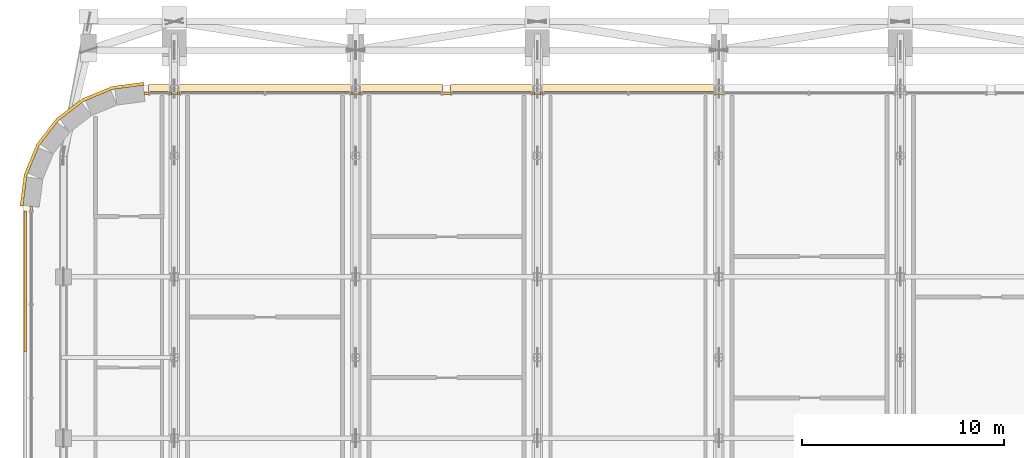
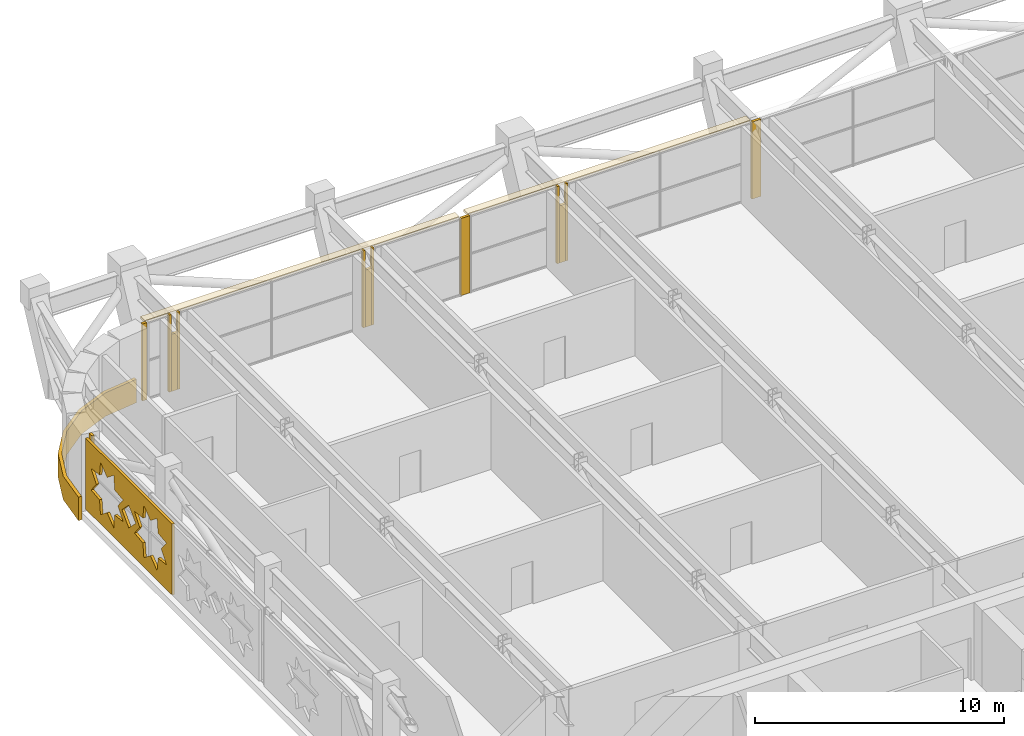
# One storey, part 26 of 28: 17 coverings.
"""IFC4 building model written with IfcOpenShell, lengths in metres."""

from ifc_helpers import new_model, si_unit, direction, frame, origin, origin_2d, place, context, subcontext, project, spatial, polyline, rectangle, outline, extrude, material, layer, layer_set, type_object, element, save


model = new_model("IFC4")

# Units and contexts
model_context = context("Model", 3, precision=1e-05, world=origin(), true_north=direction((0.0, 1.0)))
body_context = subcontext(model_context, "Body", "Model", "MODEL_VIEW")
ifc_project = project(units=[si_unit("LENGTHUNIT", "METRE"), si_unit("AREAUNIT", "SQUARE_METRE"), si_unit("VOLUMEUNIT", "CUBIC_METRE"), si_unit("PLANEANGLEUNIT", "RADIAN"), si_unit("MASSUNIT", "GRAM", prefix="KILO")], contexts=[model_context])

# Site, building, storey
site_placement = place(None, origin())
site = spatial("IfcSite", under=ifc_project, at=site_placement, CompositionType="ELEMENT")
building_placement = place(site_placement, origin())
building = spatial("IfcBuilding", under=site, at=building_placement, Name="Zellij Exchange Tower", CompositionType="ELEMENT")
storey_placement = place(building_placement, frame((0.0, 0.0, 268.5)))
storey = spatial("IfcBuildingStorey", under=building, at=storey_placement, Name="L63", CompositionType="ELEMENT", Elevation=268.5)

# Coverings
ifc_material_1 = material(Name="Limestone cladding", Category="masonry")
ifc_layer_1 = layer(ifc_material_1, 0.14990234375)
ifc_layer_set_1 = layer_set([ifc_layer_1], Name="Limestone cladding")
covering_type_1 = type_object("IfcCoveringType", Name="ENV-CV1 Stone spandrel band 150", PredefinedType="CLADDING", material=ifc_layer_set_1)
covering_1_placement = place(storey_placement, frame((0.0, 0.0, -0.35009765625)))
element("IfcCovering", 1, at=covering_1_placement, inside=storey, type_object=covering_type_1, Name="Stone spandrel band", PredefinedType="CLADDING", context=body_context, shape_type="SweptSolid", body=[
    extrude(outline(polyline([(-28.5, 31.5), (-30.052978515625, 31.295654296875), (-31.5, 30.6962890625), (-32.74267578125, 29.74267578125), (-33.6962890625, 28.5), (-34.295654296875, 27.052978515625), (-34.5, 25.5), (-34.64990234375, 25.509765625), (-34.441650390625, 27.092041015625), (-33.8271484375, 28.57568359375), (-32.849609375, 29.849609375), (-31.57568359375, 30.8271484375), (-30.092041015625, 31.441650390625), (-28.509765625, 31.64990234375), (-28.5, 31.5)])), origin(), (0.0, 0.0, 1.0), 1.150146484375),
])
ifc_layer_2 = layer(ifc_material_1, 0.1201171875)
ifc_layer_set_2 = layer_set([ifc_layer_2], Name="Limestone cladding")
covering_type_2 = type_object("IfcCoveringType", Name="ENV-CV18 Glazing closer 120", PredefinedType="CLADDING", material=ifc_layer_set_2)
for number, where, z_axis, x_axis, name in (
    (2, (-13.5, 31.10009765625, 0.0), (0.0, 0.0, 1.0), (-1.0, 0.0, 0.0), "Glazing closer"),
    (3, (0.0, 31.10009765625, 0.0), (0.0, 0.0, 1.0), (-1.0, 0.0, 0.0), "Glazing closer"),
):
    element("IfcCovering", number, at=place(storey_placement, frame(where, z_axis=z_axis, x_axis=x_axis)), inside=storey, type_object=covering_type_2, Name=name, PredefinedType="CLADDING", context=body_context, shape_type="SweptSolid", body=[
        extrude(rectangle(XDim=0.39990234375, YDim=0.1201171875, at=origin_2d()), origin(), (0.0, 0.0, 1.0), 3.780029296875),
    ])
for number, where, z_axis, x_axis, name in (
    (4, (-9.0, 31.10009765625, 0.0), (0.0, 0.0, 1.0), (-1.0, 0.0, 0.0), "Glazing closer"),
    (5, (-18.0, 31.10009765625, 0.0), (0.0, 0.0, 1.0), (-1.0, 0.0, 0.0), "Glazing closer"),
    (6, (-27.0, 31.10009765625, 0.0), (0.0, 0.0, 1.0), (-1.0, 0.0, 0.0), "Glazing closer"),
):
    element("IfcCovering", number, at=place(storey_placement, frame(where, z_axis=z_axis, x_axis=x_axis)), inside=storey, type_object=covering_type_2, Name=name, PredefinedType="CLADDING", context=body_context, shape_type="SweptSolid", body=[
        extrude(rectangle(XDim=0.2998046875, YDim=0.1201171875, at=origin_2d()), origin(), (0.0, 0.0, 1.0), 2.8046875),
    ])
for number, where, z_axis, x_axis, name in (
    (7, (-28.383056640625, 31.10009765625, 0.0), (0.0, 0.0, 1.0), (-1.0, 0.0, 0.0), "Glazing closer"),
    (8, (-34.10009765625, 25.383056640625, 0.0), (0.0, 0.0, 1.0), (0.0, 1.0, 0.0), "Glazing closer"),
):
    element("IfcCovering", number, at=place(storey_placement, frame(where, z_axis=z_axis, x_axis=x_axis)), inside=storey, type_object=covering_type_2, Name=name, PredefinedType="CLADDING", context=body_context, shape_type="SweptSolid", body=[
        extrude(rectangle(XDim=0.218505859375, YDim=0.1201171875, at=origin_2d()), origin(), (0.0, 0.0, 1.0), 3.780029296875),
    ])
for number, where, z_axis, x_axis, name in (
    (9, (-8.800048828125, 31.10009765625, 0.0), (0.0, 0.0, 1.0), (-1.0, 0.0, 0.0), "Glazing closer"),
    (10, (-9.199951171875, 31.10009765625, 0.0), (0.0, 0.0, 1.0), (-1.0, 0.0, 0.0), "Glazing closer"),
    (11, (-17.800048828125, 31.10009765625, 0.0), (0.0, 0.0, 1.0), (-1.0, 0.0, 0.0), "Glazing closer"),
    (12, (-18.199951171875, 31.10009765625, 0.0), (0.0, 0.0, 1.0), (-1.0, 0.0, 0.0), "Glazing closer"),
    (13, (-26.800048828125, 31.10009765625, 0.0), (0.0, 0.0, 1.0), (-1.0, 0.0, 0.0), "Glazing closer"),
    (14, (-27.199951171875, 31.10009765625, 0.0), (0.0, 0.0, 1.0), (-1.0, 0.0, 0.0), "Glazing closer"),
):
    element("IfcCovering", number, at=place(storey_placement, frame(where, z_axis=z_axis, x_axis=x_axis)), inside=storey, type_object=covering_type_2, Name=name, PredefinedType="CLADDING", context=body_context, shape_type="SweptSolid", body=[
        extrude(rectangle(XDim=0.10009765625, YDim=0.1201171875, at=origin_2d()), origin(), (0.0, 0.0, 1.0), 3.780029296875),
    ])
ifc_material_2 = material(Name="Limestone screen", Category="masonry")
ifc_layer_3 = layer(ifc_material_2, 0.1201171875)
ifc_layer_set_3 = layer_set([ifc_layer_3], Name="Limestone screen")
covering_type_3 = type_object("IfcCoveringType", Name="ENV-SC1 Pierced stone screen 120", PredefinedType="USERDEFINED", material=ifc_layer_set_3)
covering_2_placement = place(storey_placement, frame((-34.39990234375, 25.273681640625, 0.300048828125), z_axis=(0.0, 0.0, 1.0), x_axis=(0.0, -1.0, 0.0)))
element("IfcCovering", 15, at=covering_2_placement, inside=storey, type_object=covering_type_3, Name="Pierced stone screen", ObjectType="SCREEN", PredefinedType="USERDEFINED", context=body_context, shape_type="SweptSolid", body=[
    extrude(outline(polyline([(0.0, 0.0), (6.96728515625, 0.0), (6.96728515625, 3.47998046875), (0.0, 3.47998046875), (0.0, 0.0)]), holes=[polyline([(3.02783203125, 2.272705078125), (2.35205078125, 2.350341796875), (2.2744140625, 3.02587890625), (1.74169921875, 2.60302734375), (1.208984375, 3.02587890625), (1.131591796875, 2.350341796875), (0.455810546875, 2.272705078125), (0.87890625, 1.739990234375), (0.455810546875, 1.207275390625), (1.131591796875, 1.129638671875), (1.208984375, 0.4541015625), (1.74169921875, 0.876953125), (2.2744140625, 0.4541015625), (2.35205078125, 1.129638671875), (3.02783203125, 1.207275390625), (2.60498046875, 1.739990234375), (3.02783203125, 2.272705078125)]), polyline([(6.51171875, 2.272705078125), (5.835693359375, 2.350341796875), (5.75830078125, 3.02587890625), (5.2255859375, 2.60302734375), (4.69287109375, 3.02587890625), (4.615234375, 2.350341796875), (3.939453125, 2.272705078125), (4.362548828125, 1.739990234375), (3.939453125, 1.207275390625), (4.615234375, 1.129638671875), (4.69287109375, 0.4541015625), (5.2255859375, 0.876953125), (5.75830078125, 0.4541015625), (5.835693359375, 1.129638671875), (6.51171875, 1.207275390625), (6.088623046875, 1.739990234375), (6.51171875, 2.272705078125)]), polyline([(4.04052734375, 1.739990234375), (3.483642578125, 2.296875), (2.927001953125, 1.739990234375), (3.483642578125, 1.18310546875), (4.04052734375, 1.739990234375)])]), frame((0.0, 0.06005859375, 0.0), z_axis=(0.0, -1.0, 0.0), x_axis=(1.0, 0.0, 0.0)), (0.0, 0.0, 1.0), 0.1201171875),
])
ifc_material_3 = material(Name="Limestone sunshade", Category="masonry")
ifc_layer_4 = layer(ifc_material_3, 0.1201171875)
ifc_layer_set_4 = layer_set([ifc_layer_4], Name="Limestone sunshade")
covering_type_4 = type_object("IfcCoveringType", Name="ENV-SC2 Stone sunshade 120", PredefinedType="USERDEFINED", material=ifc_layer_set_4)
covering_3_placement = place(storey_placement, frame((0.0, 0.0, 3.659912109375)))
element("IfcCovering", 16, at=covering_3_placement, inside=storey, type_object=covering_type_4, Name="Stone sunshade", ObjectType="SUNSHADE", PredefinedType="USERDEFINED", context=body_context, shape_type="SweptSolid", body=[
    extrude(outline(polyline([(-0.199951171875, 31.199951171875), (-13.300048828125, 31.199951171875), (-13.300048828125, 31.550048828125), (-0.199951171875, 31.550048828125), (-0.199951171875, 31.199951171875)])), origin(), (0.0, 0.0, 1.0), 0.1201171875),
])
covering_4_placement = place(storey_placement, frame((0.0, 0.0, 3.659912109375)))
element("IfcCovering", 17, at=covering_4_placement, inside=storey, type_object=covering_type_4, Name="Stone sunshade", ObjectType="SUNSHADE", PredefinedType="USERDEFINED", context=body_context, shape_type="SweptSolid", body=[
    extrude(outline(polyline([(-13.699951171875, 31.199951171875), (-28.273681640625, 31.199951171875), (-28.273681640625, 31.550048828125), (-13.699951171875, 31.550048828125), (-13.699951171875, 31.199951171875)])), origin(), (0.0, 0.0, 1.0), 0.1201171875),
])

save(model, "model.ifc")
